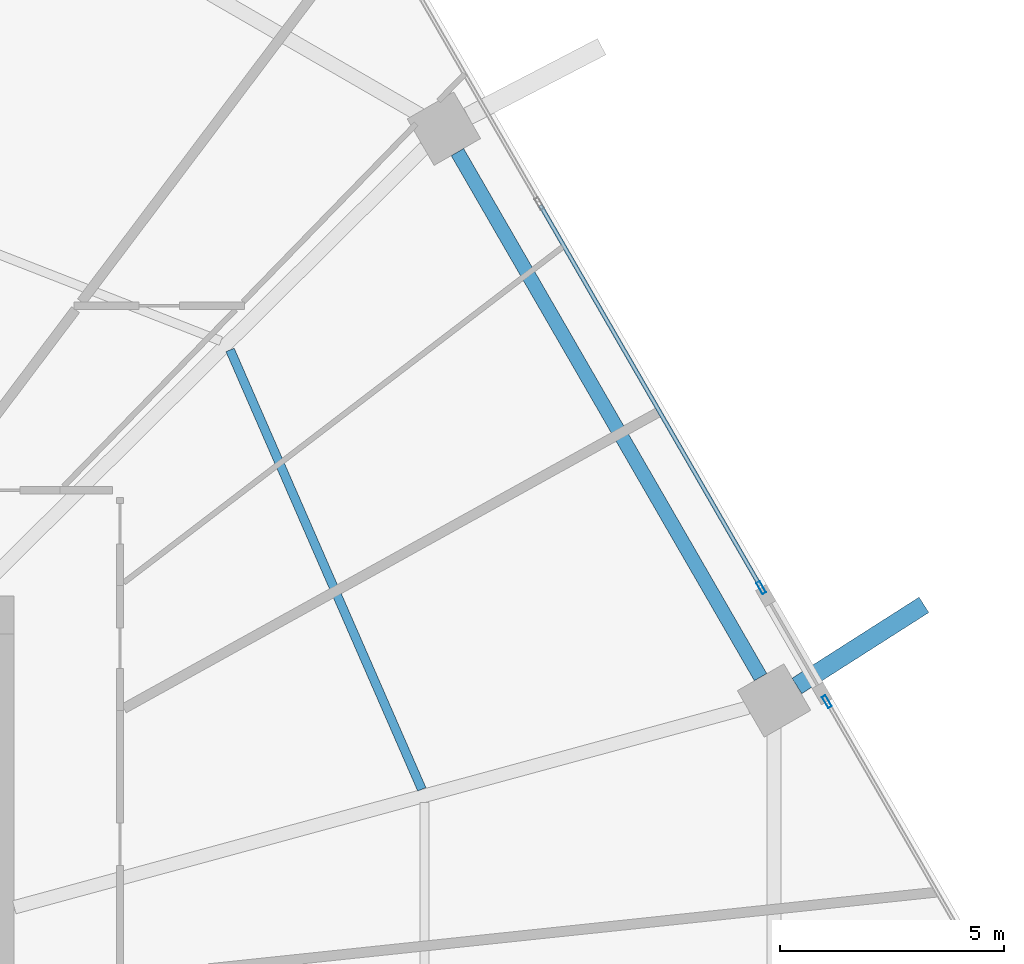
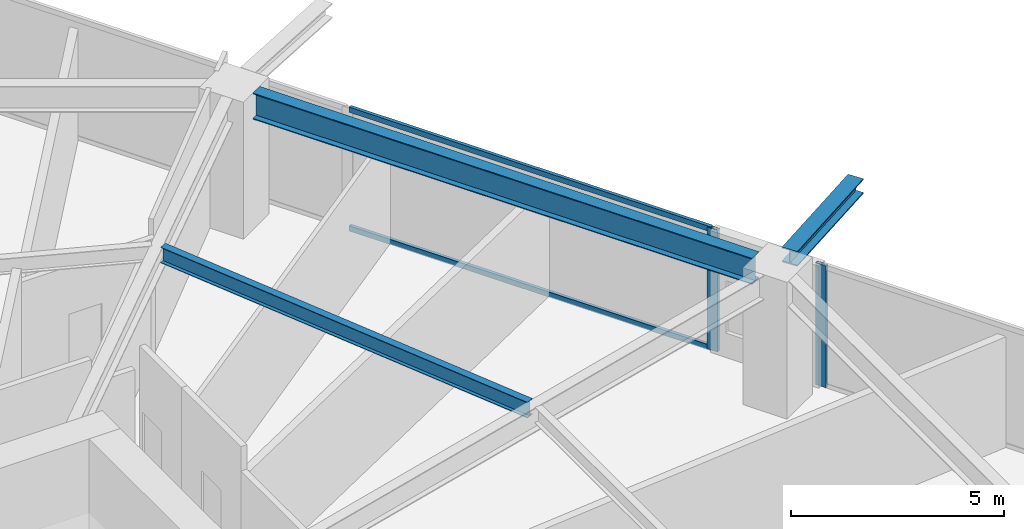
# One storey, part 17 of 25: 4 members, 3 beams, 2 elements without a shape of their own.
"""IFC4 building model written with IfcOpenShell, lengths in metres."""

from ifc_helpers import new_model, si_unit, direction, frame, origin, origin_2d, place, context, subcontext, project, spatial, hollow_rectangle, i_section, extrude, material, material_profile, profile_set, type_object, element, aggregate, save


model = new_model("IFC4")

# Units and contexts
model_context = context("Model", 3, precision=1e-05, world=origin(), true_north=direction((0.0, 1.0)))
body_context = subcontext(model_context, "Body", "Model", "MODEL_VIEW")
ifc_project = project(units=[si_unit("LENGTHUNIT", "METRE"), si_unit("AREAUNIT", "SQUARE_METRE"), si_unit("VOLUMEUNIT", "CUBIC_METRE"), si_unit("PLANEANGLEUNIT", "RADIAN"), si_unit("MASSUNIT", "GRAM", prefix="KILO")], contexts=[model_context])

# Site, building, storey
site_placement = place(None, origin())
site = spatial("IfcSite", under=ifc_project, at=site_placement, CompositionType="ELEMENT")
building_placement = place(site_placement, origin())
building = spatial("IfcBuilding", under=site, at=building_placement, Name="Zuhravey Tower", CompositionType="ELEMENT")
storey_placement = place(building_placement, frame((0.0, 0.0, 62.39990234375)))
storey = spatial("IfcBuildingStorey", under=building, at=storey_placement, Name="L15", CompositionType="ELEMENT", Elevation=62.39990234375)

# Curtain wall, member
ifc_material_1 = material(Name="Thermally broken anodised aluminium", Category="aluminium")
curtain_wall_type = type_object("IfcCurtainWallType", Name="School Low-E Unitised Curtain Wall CW1", PredefinedType="NOTDEFINED", material=ifc_material_1)
curtain_wall_1_placement = place(storey_placement, origin())
curtain_wall_1 = element("IfcCurtainWall", 1, at=curtain_wall_1_placement, inside=storey, type_object=curtain_wall_type, Name="L15 CW1 CW-L15-F1-1", PredefinedType="NOTDEFINED")
ifc_material_2 = material(Name="Anodised aluminium", Category="aluminium")
ifc_material_profile_1 = material_profile(ifc_material_2, hollow_rectangle(XDim=0.090087890625, YDim=0.284912109375, WallThickness=0.0048828125, at=origin_2d()), Name="ALU-RHS-90x285x5")
ifc_profile_set_1 = profile_set([ifc_material_profile_1], Name="Anodised aluminium")
member_type_1 = type_object("IfcMemberType", Name="Curtain-Wall Mullion 90x180", PredefinedType="MULLION", material=ifc_profile_set_1)
member_1_placement = place(storey_placement, frame((63.599609375, 42.113037109375, 0.0), z_axis=(0.0, 0.0, 1.0), x_axis=(0.866025977238, 0.499999006748, 0.0)))
member_1 = element("IfcMember", 2, at=member_1_placement, type_object=member_type_1, Name="CW1 mullion 3", PredefinedType="MULLION", context=body_context, shape_type="SweptSolid", body=[
    extrude(hollow_rectangle(XDim=0.090087890625, YDim=0.284912109375, WallThickness=0.0048828125, at=origin_2d()), origin(), (0.0, 0.0, 1.0), 3.4921875),
])

curtain_wall_2_placement = place(storey_placement, origin())
curtain_wall_2 = element("IfcCurtainWall", 3, at=curtain_wall_2_placement, inside=storey, type_object=curtain_wall_type, Name="L15 CW1 CW-L15-F1-2", PredefinedType="NOTDEFINED")
member_2_placement = place(storey_placement, frame((65.069580078125, 39.56689453125, 0.0), z_axis=(0.0, 0.0, 1.0), x_axis=(0.866023249351, 0.50000373157, 0.0)))
member_2 = element("IfcMember", 4, at=member_2_placement, type_object=member_type_1, Name="CW1 mullion 1", PredefinedType="MULLION", context=body_context, shape_type="SweptSolid", body=[
    extrude(hollow_rectangle(XDim=0.090087890625, YDim=0.284912109375, WallThickness=0.0048828125, at=origin_2d()), origin(), (0.0, 0.0, 1.0), 3.4921875),
])
aggregate(curtain_wall_2, [member_2])

# Member
ifc_material_profile_2 = material_profile(ifc_material_2, hollow_rectangle(XDim=0.090087890625, YDim=0.14990234375, WallThickness=0.0048828125, at=origin_2d()), Name="ALU-RHS-90x150x5")
ifc_profile_set_2 = profile_set([ifc_material_profile_2], Name="Anodised aluminium")
member_type_2 = type_object("IfcMemberType", Name="Curtain-Wall Transom 90x150", PredefinedType="USERDEFINED", material=ifc_profile_set_2)
member_3_placement = place(storey_placement, frame((58.673095703125, 50.64599609375, 0.045166015625), z_axis=(0.499996815763, -0.866027242197, 0.0), x_axis=(0.866027242197, 0.499996815763, 0.0)))
member_3 = element("IfcMember", 5, at=member_3_placement, type_object=member_type_2, Name="CW1 transom 2.1", ObjectType="TRANSOM", PredefinedType="USERDEFINED", context=body_context, shape_type="SweptSolid", body=[
    extrude(hollow_rectangle(XDim=0.090087890625, YDim=0.14990234375, WallThickness=0.0048828125, at=origin_2d()), origin(), (0.0, 0.0, 1.0), 9.80810546875),
])

member_4_placement = place(storey_placement, frame((58.673095703125, 50.64599609375, 3.447021484375), z_axis=(0.499996815763, -0.866027242197, 0.0), x_axis=(0.866027242197, 0.499996815763, 0.0)))
member_4 = element("IfcMember", 6, at=member_4_placement, type_object=member_type_2, Name="CW1 transom 2.2", ObjectType="TRANSOM", PredefinedType="USERDEFINED", context=body_context, shape_type="SweptSolid", body=[
    extrude(hollow_rectangle(XDim=0.090087890625, YDim=0.14990234375, WallThickness=0.0048828125, at=origin_2d()), origin(), (0.0, 0.0, 1.0), 9.80810546875),
])

aggregate(curtain_wall_1, [member_1, member_3, member_4])

# Beams
ifc_material_3 = material(Name="Steel SM460", Category="steel")
ifc_material_profile_3 = material_profile(ifc_material_3, i_section(OverallWidth=0.406982421875, OverallDepth=0.427978515625, WebThickness=0.02001953125, FlangeThickness=0.034912109375, at=origin_2d()), Name="H-428x407x20x35")
ifc_profile_set_3 = profile_set([ifc_material_profile_3], Name="Steel SM460")
beam_type_1 = type_object("IfcBeamType", Name="Exoskeleton Node Tie Beam H428x407", PredefinedType="BEAM", material=ifc_profile_set_3)
beam_1_placement = place(storey_placement, frame((64.39892578125, 39.916748046875, 3.7060546875), z_axis=(0.843057334513, 0.537823698552, 0.0), x_axis=(-0.537823698552, 0.843057334513, 0.0)))
element("IfcBeam", 7, at=beam_1_placement, inside=storey, type_object=beam_type_1, Name="L15 Exoskeleton Node Tie NT1-01", PredefinedType="BEAM", context=body_context, shape_type="SweptSolid", body=[
    extrude(i_section(OverallWidth=0.406982421875, OverallDepth=0.427978515625, WebThickness=0.02001953125, FlangeThickness=0.034912109375, at=origin_2d()), origin(), (0.0, 0.0, 1.0), 3.3642578125),
])
ifc_material_4 = material(Name="Steel SM355", Category="steel")
ifc_material_profile_4 = material_profile(ifc_material_4, i_section(OverallWidth=0.320068359375, OverallDepth=0.75, WebThickness=0.013916015625, FlangeThickness=0.02490234375, at=origin_2d()), Name="H-750x320x14x25")
ifc_profile_set_4 = profile_set([ifc_material_profile_4], Name="Steel SM355")
beam_type_2 = type_object("IfcBeamType", Name="Perimeter Ring Beam H750x320", PredefinedType="BEAM", material=ifc_profile_set_4)
beam_2_placement = place(storey_placement, frame((63.587646484375, 40.11376953125, 3.545166015625), z_axis=(-0.499999877243, 0.866025474658, 0.0), x_axis=(-0.866025474658, -0.499999877243, 0.0)))
element("IfcBeam", 8, at=beam_2_placement, inside=storey, type_object=beam_type_2, Name="L15 PB1 BM-L15-PB-01", PredefinedType="BEAM", context=body_context, shape_type="SweptSolid", body=[
    extrude(i_section(OverallWidth=0.320068359375, OverallDepth=0.75, WebThickness=0.013916015625, FlangeThickness=0.02490234375, at=origin_2d()), origin(), (0.0, 0.0, 1.0), 13.5341796875),
])
ifc_material_profile_5 = material_profile(ifc_material_4, i_section(OverallWidth=0.199951171875, OverallDepth=0.449951171875, WebThickness=0.009033203125, FlangeThickness=0.013916015625, at=origin_2d()), Name="H-450x200x9x14")
ifc_profile_set_5 = profile_set([ifc_material_profile_5], Name="Steel SM355")
beam_type_3 = type_object("IfcBeamType", Name="Secondary Floor Joist H450x200", PredefinedType="JOIST", material=ifc_profile_set_5)
beam_3_placement = place(storey_placement, frame((56.025390625, 37.60888671875, 3.695068359375), z_axis=(-0.399923551578, 0.916548500022, 0.0), x_axis=(-0.916548500022, -0.399923551578, 0.0)))
element("IfcBeam", 9, at=beam_3_placement, inside=storey, type_object=beam_type_3, Name="L15 SJ1 BM-L15-SJ-01-1", PredefinedType="JOIST", context=body_context, shape_type="SweptSolid", body=[
    extrude(i_section(OverallWidth=0.199951171875, OverallDepth=0.449951171875, WebThickness=0.009033203125, FlangeThickness=0.013916015625, at=origin_2d()), origin(), (0.0, 0.0, 1.0), 10.70263671875),
])

save(model, "model.ifc")
